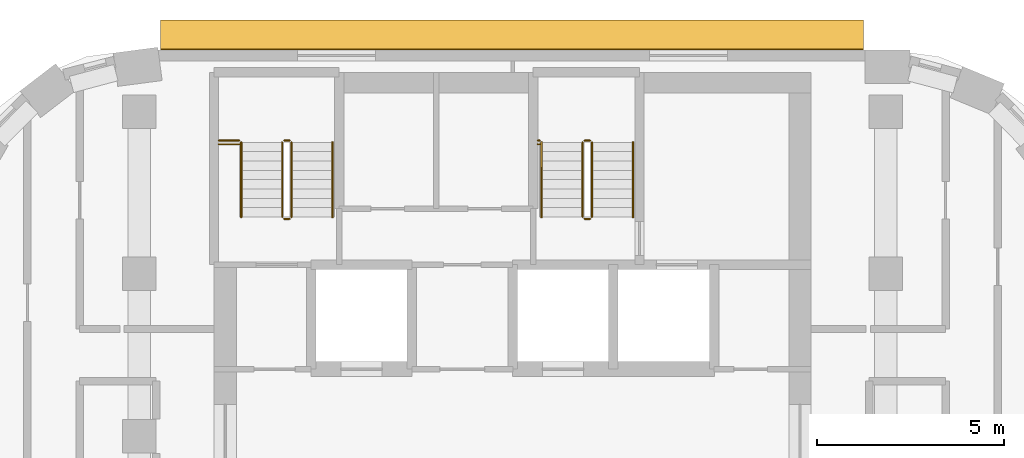
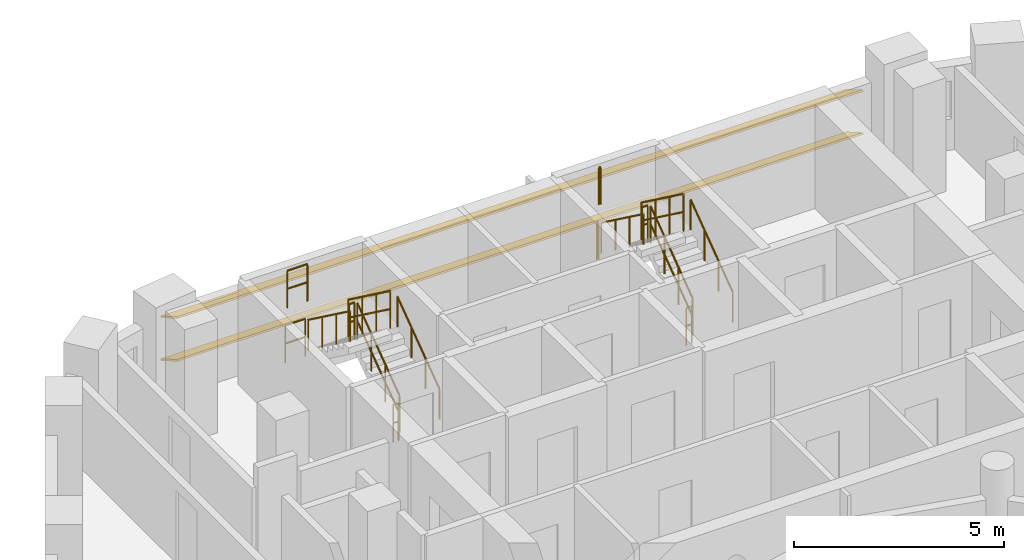
# One storey, part 16 of 16: 16 railings, 2 shading devices.
"""IFC4 building model written with IfcOpenShell, lengths in metres."""

from ifc_helpers import new_model, si_unit, direction, frame, origin, origin_2d, place, context, subcontext, project, spatial, rectangle, circle, extrude, material, material_profile, profile_set, type_object, element, save


model = new_model("IFC4")

# Units and contexts
model_context = context("Model", 3, precision=1e-05, world=origin(), true_north=direction((0.0, 1.0)))
body_context = subcontext(model_context, "Body", "Model", "MODEL_VIEW")
ifc_project = project(units=[si_unit("LENGTHUNIT", "METRE"), si_unit("AREAUNIT", "SQUARE_METRE"), si_unit("VOLUMEUNIT", "CUBIC_METRE"), si_unit("PLANEANGLEUNIT", "RADIAN"), si_unit("MASSUNIT", "GRAM", prefix="KILO")], contexts=[model_context])

# Site, building, storey
site_placement = place(None, origin())
site = spatial("IfcSite", under=ifc_project, at=site_placement, CompositionType="ELEMENT")
building_placement = place(site_placement, origin())
building = spatial("IfcBuilding", under=site, at=building_placement, Name="Nakaniwa Court", CompositionType="ELEMENT")
storey_placement = place(building_placement, frame((0.0, 0.0, 199.800048828125)))
storey = spatial("IfcBuildingStorey", under=building, at=storey_placement, Name="L52", CompositionType="ELEMENT", Elevation=199.800048828125)

# Shading devices
ifc_material_1 = material(Name="Perforated charcoal ceramic louvre blade")
ifc_material_profile = material_profile(ifc_material_1, rectangle(XDim=0.89990234375, YDim=0.050048828125, at=origin_2d()), Name="Perforated ceramic louvre blade")
ifc_profile_set = profile_set([ifc_material_profile], Name="Perforated charcoal ceramic louvre blade")
shading_device_type = type_object("IfcShadingDeviceType", Name="Perforated ceramic louvre blade", PredefinedType="JALOUSIE", material=ifc_profile_set)
for number, where, z_axis, x_axis, name in (
    (1, (89.3994140625, 103.05224609375, 0.550048828125), (-1.0, 0.0, 0.0), (0.0, -0.866025403784, 0.5), "L52 perforated ceramic louvre blade w08 1"),
    (2, (89.3994140625, 103.05224609375, 1.793212890625), (-1.0, 0.0, 0.0), (0.0, -0.866025403784, 0.5), "L52 perforated ceramic louvre blade w08 2"),
):
    element("IfcShadingDevice", number, at=place(storey_placement, frame(where, z_axis=z_axis, x_axis=x_axis)), inside=storey, type_object=shading_device_type, Name=name, PredefinedType="JALOUSIE", context=body_context, shape_type="SweptSolid", body=[
        extrude(rectangle(XDim=0.89990234375, YDim=0.050048828125, at=origin_2d()), origin(), (0.0, 0.0, 1.0), 18.8330078125),
    ])

# Railings
ifc_material_2 = material(Name="Black powder coated steel guard", Category="steel")
railing_type_1 = type_object("IfcRailingType", Name="Stair guard 1100", PredefinedType="GUARDRAIL", material=ifc_material_2)
railing_1_placement = place(storey_placement, frame((74.074951171875, 98.175048828125, 0.183349609375)))
element("IfcRailing", 3, at=railing_1_placement, inside=storey, type_object=railing_type_1, Name="L52 ST1 stair guard 1", PredefinedType="GUARDRAIL", context=body_context, shape_type="SweptSolid", body=[
    extrude(circle(Radius=0.02392578125, at=origin_2d()), frame((0.0, 0.0, 1.076171875), z_axis=(0.0, 0.806426902644, 0.591333789573), x_axis=(-1.0, 0.0, 0.0)), (0.0, 0.0, 1.0), 2.47998046875),
    extrude(circle(Radius=0.02392578125, at=origin_2d()), frame((0.0, 0.0, 0.550048828125), z_axis=(0.0, 0.806426902644, 0.591333789573), x_axis=(-1.0, 0.0, 0.0)), (0.0, 0.0, 1.0), 2.47998046875),
    extrude(circle(Radius=0.02099609375, at=origin_2d()), origin(), (0.0, 0.0, 1.0), 1.052001953125),
    extrude(circle(Radius=0.02099609375, at=origin_2d()), frame((0.0, 0.666748046875, 0.48876953125)), (0.0, 0.0, 1.0), 1.052001953125),
    extrude(circle(Radius=0.02099609375, at=origin_2d()), frame((0.0, 1.333251953125, 0.977783203125)), (0.0, 0.0, 1.0), 1.052001953125),
    extrude(circle(Radius=0.02099609375, at=origin_2d()), frame((0.0, 2.0, 1.466552734375)), (0.0, 0.0, 1.0), 1.052001953125),
])
railing_2_placement = place(storey_placement, frame((74.02490234375, 100.22509765625, 1.64990234375)))
element("IfcRailing", 4, at=railing_2_placement, inside=storey, type_object=railing_type_1, Name="L52 ST1 stair guard 2", PredefinedType="GUARDRAIL", context=body_context, shape_type="SweptSolid", body=[
    extrude(circle(Radius=0.02392578125, at=origin_2d()), frame((0.0, 0.0, 1.076171875), z_axis=(-1.0, 0.0, 0.0), x_axis=(0.0, -1.0, 0.0)), (0.0, 0.0, 1.0), 0.14990234375),
    extrude(circle(Radius=0.02392578125, at=origin_2d()), frame((0.0, 0.0, 0.550048828125), z_axis=(-1.0, 0.0, 0.0), x_axis=(0.0, -1.0, 0.0)), (0.0, 0.0, 1.0), 0.14990234375),
    extrude(circle(Radius=0.02099609375, at=origin_2d()), origin(), (0.0, 0.0, 1.0), 1.052001953125),
    extrude(circle(Radius=0.02099609375, at=origin_2d()), frame((-0.14990234375, 0.0, 0.0)), (0.0, 0.0, 1.0), 1.052001953125),
])
railing_3_placement = place(storey_placement, frame((73.824951171875, 100.175048828125, 1.833251953125)))
element("IfcRailing", 5, at=railing_3_placement, inside=storey, type_object=railing_type_1, Name="L52 ST1 stair guard 3", PredefinedType="GUARDRAIL", context=body_context, shape_type="SweptSolid", body=[
    extrude(circle(Radius=0.02392578125, at=origin_2d()), frame((0.0, 0.0, 1.076171875), z_axis=(0.0, -0.806379959628, 0.591397802423), x_axis=(1.0, 0.0, 0.0)), (0.0, 0.0, 1.0), 2.480224609375),
    extrude(circle(Radius=0.02392578125, at=origin_2d()), frame((0.0, 0.0, 0.550048828125), z_axis=(0.0, -0.806379959628, 0.591397802423), x_axis=(1.0, 0.0, 0.0)), (0.0, 0.0, 1.0), 2.480224609375),
    extrude(circle(Radius=0.02099609375, at=origin_2d()), origin(), (0.0, 0.0, 1.0), 1.052001953125),
    extrude(circle(Radius=0.02099609375, at=origin_2d()), frame((0.0, -0.666748046875, 0.489013671875)), (0.0, 0.0, 1.0), 1.052001953125),
    extrude(circle(Radius=0.02099609375, at=origin_2d()), frame((0.0, -1.333251953125, 0.977783203125)), (0.0, 0.0, 1.0), 1.052001953125),
    extrude(circle(Radius=0.02099609375, at=origin_2d()), frame((0.0, -2.0, 1.466796875)), (0.0, 0.0, 1.0), 1.052001953125),
])
railing_4_placement = place(storey_placement, frame((74.02490234375, 98.125, 0.0)))
element("IfcRailing", 6, at=railing_4_placement, inside=storey, type_object=railing_type_1, Name="L52 ST1 stair guard 4", PredefinedType="GUARDRAIL", context=body_context, shape_type="SweptSolid", body=[
    extrude(circle(Radius=0.02392578125, at=origin_2d()), frame((0.0, 0.0, 1.076171875), z_axis=(-1.0, 0.0, 0.0), x_axis=(0.0, -1.0, 0.0)), (0.0, 0.0, 1.0), 0.14990234375),
    extrude(circle(Radius=0.02392578125, at=origin_2d()), frame((0.0, 0.0, 0.550048828125), z_axis=(-1.0, 0.0, 0.0), x_axis=(0.0, -1.0, 0.0)), (0.0, 0.0, 1.0), 0.14990234375),
    extrude(circle(Radius=0.02099609375, at=origin_2d()), origin(), (0.0, 0.0, 1.0), 1.052001953125),
    extrude(circle(Radius=0.02099609375, at=origin_2d()), frame((-0.14990234375, 0.0, 0.0)), (0.0, 0.0, 1.0), 1.052001953125),
])
for number, where, name in (
    (7, (72.125, 100.22509765625, 1.64990234375), "L52 ST1 landing side guard 1W"),
    (8, (72.125, 100.125, 3.300048828125), "L52 ST1 floor edge guard 1W"),
):
    element("IfcRailing", number, at=place(storey_placement, frame(where)), inside=storey, type_object=railing_type_1, Name=name, PredefinedType="GUARDRAIL", context=body_context, shape_type="SweptSolid", body=[
        extrude(circle(Radius=0.02392578125, at=origin_2d()), frame((0.0, 0.0, 1.076171875), z_axis=(1.0, 0.0, 0.0), x_axis=(0.0, 1.0, 0.0)), (0.0, 0.0, 1.0), 0.550048828125),
        extrude(circle(Radius=0.02392578125, at=origin_2d()), frame((0.0, 0.0, 0.550048828125), z_axis=(1.0, 0.0, 0.0), x_axis=(0.0, 1.0, 0.0)), (0.0, 0.0, 1.0), 0.550048828125),
        extrude(circle(Radius=0.02099609375, at=origin_2d()), origin(), (0.0, 0.0, 1.0), 1.052001953125),
        extrude(circle(Radius=0.02099609375, at=origin_2d()), frame((0.550048828125, 0.0, 0.0)), (0.0, 0.0, 1.0), 1.052001953125),
    ])
railing_5_placement = place(storey_placement, frame((82.125, 98.175048828125, 0.183349609375)))
element("IfcRailing", 9, at=railing_5_placement, inside=storey, type_object=railing_type_1, Name="L52 ST2 stair guard 1", PredefinedType="GUARDRAIL", context=body_context, shape_type="SweptSolid", body=[
    extrude(circle(Radius=0.02392578125, at=origin_2d()), frame((0.0, 0.0, 1.076171875), z_axis=(0.0, 0.806426902644, 0.591333789573), x_axis=(-1.0, 0.0, 0.0)), (0.0, 0.0, 1.0), 2.47998046875),
    extrude(circle(Radius=0.02392578125, at=origin_2d()), frame((0.0, 0.0, 0.550048828125), z_axis=(0.0, 0.806426902644, 0.591333789573), x_axis=(-1.0, 0.0, 0.0)), (0.0, 0.0, 1.0), 2.47998046875),
    extrude(circle(Radius=0.02099609375, at=origin_2d()), origin(), (0.0, 0.0, 1.0), 1.052001953125),
    extrude(circle(Radius=0.02099609375, at=origin_2d()), frame((0.0, 0.666748046875, 0.48876953125)), (0.0, 0.0, 1.0), 1.052001953125),
    extrude(circle(Radius=0.02099609375, at=origin_2d()), frame((0.0, 1.333251953125, 0.977783203125)), (0.0, 0.0, 1.0), 1.052001953125),
    extrude(circle(Radius=0.02099609375, at=origin_2d()), frame((0.0, 2.0, 1.466552734375)), (0.0, 0.0, 1.0), 1.052001953125),
])
railing_6_placement = place(storey_placement, frame((82.074951171875, 100.22509765625, 1.64990234375)))
element("IfcRailing", 10, at=railing_6_placement, inside=storey, type_object=railing_type_1, Name="L52 ST2 stair guard 2", PredefinedType="GUARDRAIL", context=body_context, shape_type="SweptSolid", body=[
    extrude(circle(Radius=0.02392578125, at=origin_2d()), frame((0.0, 0.0, 1.076171875), z_axis=(-1.0, 0.0, 0.0), x_axis=(0.0, -1.0, 0.0)), (0.0, 0.0, 1.0), 0.14990234375),
    extrude(circle(Radius=0.02392578125, at=origin_2d()), frame((0.0, 0.0, 0.550048828125), z_axis=(-1.0, 0.0, 0.0), x_axis=(0.0, -1.0, 0.0)), (0.0, 0.0, 1.0), 0.14990234375),
    extrude(circle(Radius=0.02099609375, at=origin_2d()), origin(), (0.0, 0.0, 1.0), 1.052001953125),
    extrude(circle(Radius=0.02099609375, at=origin_2d()), frame((-0.14990234375, 0.0, 0.0)), (0.0, 0.0, 1.0), 1.052001953125),
])
railing_7_placement = place(storey_placement, frame((81.875, 100.175048828125, 1.833251953125)))
element("IfcRailing", 11, at=railing_7_placement, inside=storey, type_object=railing_type_1, Name="L52 ST2 stair guard 3", PredefinedType="GUARDRAIL", context=body_context, shape_type="SweptSolid", body=[
    extrude(circle(Radius=0.02392578125, at=origin_2d()), frame((0.0, 0.0, 1.076171875), z_axis=(0.0, -0.806379959628, 0.591397802423), x_axis=(1.0, 0.0, 0.0)), (0.0, 0.0, 1.0), 2.480224609375),
    extrude(circle(Radius=0.02392578125, at=origin_2d()), frame((0.0, 0.0, 0.550048828125), z_axis=(0.0, -0.806379959628, 0.591397802423), x_axis=(1.0, 0.0, 0.0)), (0.0, 0.0, 1.0), 2.480224609375),
    extrude(circle(Radius=0.02099609375, at=origin_2d()), origin(), (0.0, 0.0, 1.0), 1.052001953125),
    extrude(circle(Radius=0.02099609375, at=origin_2d()), frame((0.0, -0.666748046875, 0.489013671875)), (0.0, 0.0, 1.0), 1.052001953125),
    extrude(circle(Radius=0.02099609375, at=origin_2d()), frame((0.0, -1.333251953125, 0.977783203125)), (0.0, 0.0, 1.0), 1.052001953125),
    extrude(circle(Radius=0.02099609375, at=origin_2d()), frame((0.0, -2.0, 1.466796875)), (0.0, 0.0, 1.0), 1.052001953125),
])
railing_8_placement = place(storey_placement, frame((82.074951171875, 98.125, 0.0)))
element("IfcRailing", 12, at=railing_8_placement, inside=storey, type_object=railing_type_1, Name="L52 ST2 stair guard 4", PredefinedType="GUARDRAIL", context=body_context, shape_type="SweptSolid", body=[
    extrude(circle(Radius=0.02392578125, at=origin_2d()), frame((0.0, 0.0, 1.076171875), z_axis=(-1.0, 0.0, 0.0), x_axis=(0.0, -1.0, 0.0)), (0.0, 0.0, 1.0), 0.14990234375),
    extrude(circle(Radius=0.02392578125, at=origin_2d()), frame((0.0, 0.0, 0.550048828125), z_axis=(-1.0, 0.0, 0.0), x_axis=(0.0, -1.0, 0.0)), (0.0, 0.0, 1.0), 0.14990234375),
    extrude(circle(Radius=0.02099609375, at=origin_2d()), origin(), (0.0, 0.0, 1.0), 1.052001953125),
    extrude(circle(Radius=0.02099609375, at=origin_2d()), frame((-0.14990234375, 0.0, 0.0)), (0.0, 0.0, 1.0), 1.052001953125),
])
for number, where, name in (
    (13, (80.675048828125, 100.22509765625, 1.64990234375), "L52 ST2 landing side guard 1W"),
    (14, (80.675048828125, 100.125, 3.300048828125), "L52 ST2 floor edge guard 1W"),
):
    element("IfcRailing", number, at=place(storey_placement, frame(where)), inside=storey, type_object=railing_type_1, Name=name, PredefinedType="GUARDRAIL", context=body_context, shape_type="SweptSolid", body=[
        extrude(circle(Radius=0.02392578125, at=origin_2d()), frame((0.0, 0.0, 1.076171875), z_axis=(1.0, 0.0, 0.0), x_axis=(0.0, 1.0, 0.0)), (0.0, 0.0, 1.0), 0.050048828125),
        extrude(circle(Radius=0.02392578125, at=origin_2d()), frame((0.0, 0.0, 0.550048828125), z_axis=(1.0, 0.0, 0.0), x_axis=(0.0, 1.0, 0.0)), (0.0, 0.0, 1.0), 0.050048828125),
        extrude(circle(Radius=0.02099609375, at=origin_2d()), origin(), (0.0, 0.0, 1.0), 1.052001953125),
        extrude(circle(Radius=0.02099609375, at=origin_2d()), frame((0.050048828125, 0.0, 0.0)), (0.0, 0.0, 1.0), 1.052001953125),
    ])
ifc_material_3 = material(Name="Black powder coated steel handrail", Category="steel")
railing_type_2 = type_object("IfcRailingType", Name="Stair handrail 900", PredefinedType="HANDRAIL", material=ifc_material_3)
railing_9_placement = place(storey_placement, frame((75.175048828125, 98.175048828125, 0.183349609375)))
element("IfcRailing", 15, at=railing_9_placement, inside=storey, type_object=railing_type_2, Name="L52 ST1 stair handrail 1", PredefinedType="HANDRAIL", context=body_context, shape_type="SweptSolid", body=[
    extrude(circle(Radius=0.02392578125, at=origin_2d()), frame((0.0, 0.0, 0.8759765625), z_axis=(0.0, 0.806426902644, 0.591333789573), x_axis=(-1.0, 0.0, 0.0)), (0.0, 0.0, 1.0), 2.47998046875),
    extrude(circle(Radius=0.02099609375, at=origin_2d()), origin(), (0.0, 0.0, 1.0), 0.851806640625),
    extrude(circle(Radius=0.02099609375, at=origin_2d()), frame((0.0, 0.666748046875, 0.48876953125)), (0.0, 0.0, 1.0), 0.851806640625),
    extrude(circle(Radius=0.02099609375, at=origin_2d()), frame((0.0, 1.333251953125, 0.977783203125)), (0.0, 0.0, 1.0), 0.851806640625),
    extrude(circle(Radius=0.02099609375, at=origin_2d()), frame((0.0, 2.0, 1.466552734375)), (0.0, 0.0, 1.0), 0.851806640625),
])
railing_10_placement = place(storey_placement, frame((72.72509765625, 100.175048828125, 1.833251953125)))
element("IfcRailing", 16, at=railing_10_placement, inside=storey, type_object=railing_type_2, Name="L52 ST1 stair handrail 2", PredefinedType="HANDRAIL", context=body_context, shape_type="SweptSolid", body=[
    extrude(circle(Radius=0.02392578125, at=origin_2d()), frame((0.0, 0.0, 0.8759765625), z_axis=(0.0, -0.806379959628, 0.591397802423), x_axis=(1.0, 0.0, 0.0)), (0.0, 0.0, 1.0), 2.480224609375),
    extrude(circle(Radius=0.02099609375, at=origin_2d()), origin(), (0.0, 0.0, 1.0), 0.851806640625),
    extrude(circle(Radius=0.02099609375, at=origin_2d()), frame((0.0, -0.666748046875, 0.489013671875)), (0.0, 0.0, 1.0), 0.851806640625),
    extrude(circle(Radius=0.02099609375, at=origin_2d()), frame((0.0, -1.333251953125, 0.977783203125)), (0.0, 0.0, 1.0), 0.851806640625),
    extrude(circle(Radius=0.02099609375, at=origin_2d()), frame((0.0, -2.0, 1.466796875)), (0.0, 0.0, 1.0), 0.851806640625),
])
railing_11_placement = place(storey_placement, frame((83.22509765625, 98.175048828125, 0.183349609375)))
element("IfcRailing", 17, at=railing_11_placement, inside=storey, type_object=railing_type_2, Name="L52 ST2 stair handrail 1", PredefinedType="HANDRAIL", context=body_context, shape_type="SweptSolid", body=[
    extrude(circle(Radius=0.02392578125, at=origin_2d()), frame((0.0, 0.0, 0.8759765625), z_axis=(0.0, 0.806426902644, 0.591333789573), x_axis=(-1.0, 0.0, 0.0)), (0.0, 0.0, 1.0), 2.47998046875),
    extrude(circle(Radius=0.02099609375, at=origin_2d()), origin(), (0.0, 0.0, 1.0), 0.851806640625),
    extrude(circle(Radius=0.02099609375, at=origin_2d()), frame((0.0, 0.666748046875, 0.48876953125)), (0.0, 0.0, 1.0), 0.851806640625),
    extrude(circle(Radius=0.02099609375, at=origin_2d()), frame((0.0, 1.333251953125, 0.977783203125)), (0.0, 0.0, 1.0), 0.851806640625),
    extrude(circle(Radius=0.02099609375, at=origin_2d()), frame((0.0, 2.0, 1.466552734375)), (0.0, 0.0, 1.0), 0.851806640625),
])
railing_12_placement = place(storey_placement, frame((80.77490234375, 100.175048828125, 1.833251953125)))
element("IfcRailing", 18, at=railing_12_placement, inside=storey, type_object=railing_type_2, Name="L52 ST2 stair handrail 2", PredefinedType="HANDRAIL", context=body_context, shape_type="SweptSolid", body=[
    extrude(circle(Radius=0.02392578125, at=origin_2d()), frame((0.0, 0.0, 0.8759765625), z_axis=(0.0, -0.806379959628, 0.591397802423), x_axis=(1.0, 0.0, 0.0)), (0.0, 0.0, 1.0), 2.480224609375),
    extrude(circle(Radius=0.02099609375, at=origin_2d()), origin(), (0.0, 0.0, 1.0), 0.851806640625),
    extrude(circle(Radius=0.02099609375, at=origin_2d()), frame((0.0, -0.666748046875, 0.489013671875)), (0.0, 0.0, 1.0), 0.851806640625),
    extrude(circle(Radius=0.02099609375, at=origin_2d()), frame((0.0, -1.333251953125, 0.977783203125)), (0.0, 0.0, 1.0), 0.851806640625),
    extrude(circle(Radius=0.02099609375, at=origin_2d()), frame((0.0, -2.0, 1.466796875)), (0.0, 0.0, 1.0), 0.851806640625),
])

save(model, "model.ifc")
